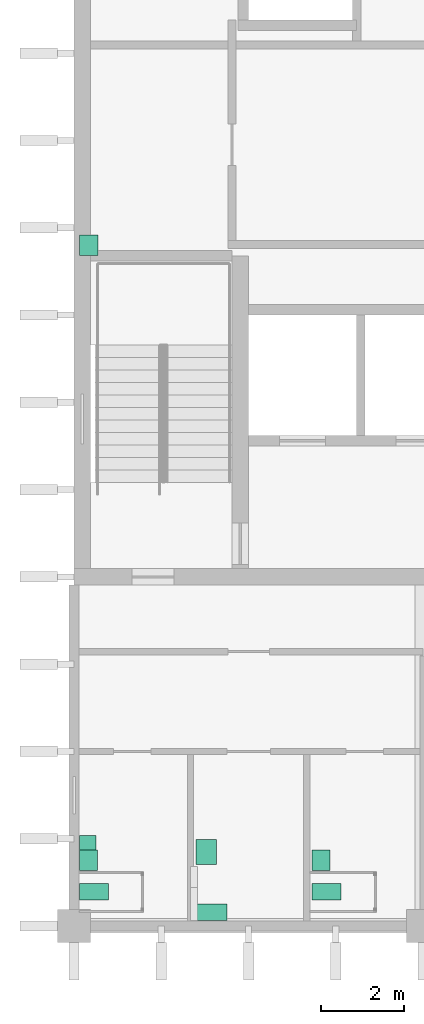
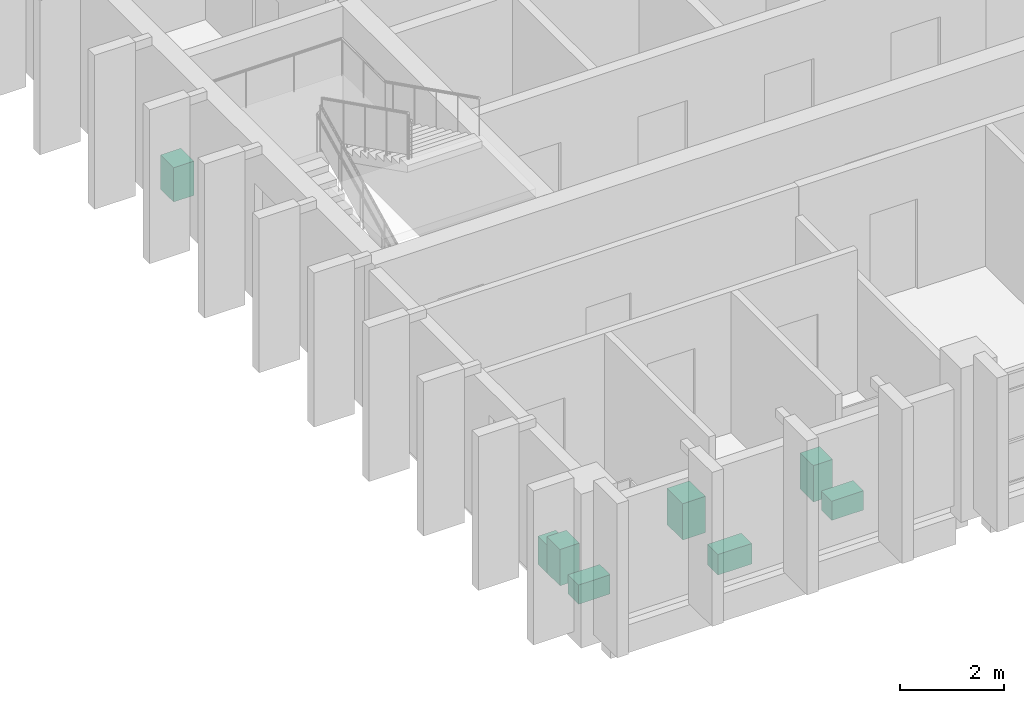
# One storey, part 11 of 11: 8 sanitary terminals.
"""IFC4 building model written with IfcOpenShell, lengths in metres."""

from ifc_helpers import new_model, si_unit, direction, frame, origin, origin_2d, place, context, subcontext, project, spatial, rectangle, extrude, material, type_object, element, save


model = new_model("IFC4")

# Units and contexts
model_context = context("Model", 3, precision=1e-05, world=origin(), true_north=direction((0.0, 1.0)))
body_context = subcontext(model_context, "Body", "Model", "MODEL_VIEW")
ifc_project = project(units=[si_unit("LENGTHUNIT", "METRE"), si_unit("AREAUNIT", "SQUARE_METRE"), si_unit("VOLUMEUNIT", "CUBIC_METRE"), si_unit("PLANEANGLEUNIT", "RADIAN"), si_unit("MASSUNIT", "GRAM", prefix="KILO")], contexts=[model_context])

# Site, building, storey
site_placement = place(None, origin())
site = spatial("IfcSite", under=ifc_project, at=site_placement, CompositionType="ELEMENT")
building_placement = place(site_placement, origin())
building = spatial("IfcBuilding", under=site, at=building_placement, Name="Rulbaag Community and Learning Centre", CompositionType="ELEMENT")
storey_placement = place(building_placement, frame((0.0, 0.0, 43.199951171875)))
storey = spatial("IfcBuildingStorey", under=building, at=storey_placement, Name="L11", CompositionType="ELEMENT", Elevation=43.199951171875)

# Sanitary terminals
ifc_material_1 = material(Name="Vitreous china", Category="ceramic")
sanitary_terminal_type_1 = type_object("IfcSanitaryTerminalType", Name="BS-500", PredefinedType="WASHHANDBASIN", material=ifc_material_1)
for number, where, z_axis, x_axis, name in (
    (1, (143.14501953125, 85.580078125, 0.0), (0.0, 0.0, 1.0), (1.0, 0.0, 0.0), "Basin 96"),
    (2, (148.7451171875, 85.580078125, 0.0), (0.0, 0.0, 1.0), (1.0, 0.0, 0.0), "Basin 97"),
):
    element("IfcSanitaryTerminal", number, at=place(storey_placement, frame(where, z_axis=z_axis, x_axis=x_axis)), inside=storey, type_object=sanitary_terminal_type_1, Name=name, PredefinedType="WASHHANDBASIN", context=body_context, shape_type="SweptSolid", body=[
        extrude(rectangle(XDim=0.429931640625, YDim=0.5, at=origin_2d()), origin(), (0.0, 0.0, 1.0), 0.85009765625),
    ])
sanitary_terminal_type_2 = type_object("IfcSanitaryTerminalType", Name="BS-AC-600", PredefinedType="WASHHANDBASIN", material=ifc_material_1)
sanitary_terminal_1_placement = place(storey_placement, frame((145.97998046875, 85.780029296875, 0.0), z_axis=(0.0, 0.0, 1.0), x_axis=(1.0, 0.0, 0.0)))
element("IfcSanitaryTerminal", 3, at=sanitary_terminal_1_placement, inside=storey, type_object=sanitary_terminal_type_2, Name="Basin 98", PredefinedType="WASHHANDBASIN", context=body_context, shape_type="SweptSolid", body=[
    extrude(rectangle(XDim=0.5, YDim=0.60009765625, at=origin_2d()), origin(), (0.0, 0.0, 1.0), 0.85009765625),
])
ifc_material_2 = material(Name="Stainless steel", Category="steel")
sanitary_terminal_type_3 = type_object("IfcSanitaryTerminalType", Name="SK-CL-500", PredefinedType="SINK", material=ifc_material_2)
sanitary_terminal_2_placement = place(storey_placement, frame((143.155029296875, 100.3798828125, 0.0), z_axis=(0.0, 0.0, 1.0), x_axis=(1.0, 0.0, 0.0)))
element("IfcSanitaryTerminal", 4, at=sanitary_terminal_2_placement, inside=storey, type_object=sanitary_terminal_type_3, Name="Sink 20", PredefinedType="SINK", context=body_context, shape_type="SweptSolid", body=[
    extrude(rectangle(XDim=0.449951171875, YDim=0.5, at=origin_2d()), origin(), (0.0, 0.0, 1.0), 0.800048828125),
])
sanitary_terminal_type_4 = type_object("IfcSanitaryTerminalType", Name="UR-350", PredefinedType="URINAL", material=ifc_material_1)
sanitary_terminal_3_placement = place(storey_placement, frame((143.1298828125, 86.0048828125, 0.0), z_axis=(0.0, 0.0, 1.0), x_axis=(1.0, 0.0, 0.0)))
element("IfcSanitaryTerminal", 5, at=sanitary_terminal_3_placement, inside=storey, type_object=sanitary_terminal_type_4, Name="Urinal 161", PredefinedType="URINAL", context=body_context, shape_type="SweptSolid", body=[
    extrude(rectangle(XDim=0.39990234375, YDim=0.35009765625, at=origin_2d()), origin(), (0.0, 0.0, 1.0), 0.64990234375),
])
sanitary_terminal_type_5 = type_object("IfcSanitaryTerminalType", Name="WC-400", PredefinedType="TOILETPAN", material=ifc_material_1)
for number, where, z_axis, x_axis, name in (
    (6, (143.280029296875, 84.820068359375, 0.0), (0.0, 0.0, 1.0), (1.0, 0.0, 0.0), "WC 157"),
    (7, (148.8798828125, 84.820068359375, 0.0), (0.0, 0.0, 1.0), (1.0, 0.0, 0.0), "WC 158"),
):
    element("IfcSanitaryTerminal", number, at=place(storey_placement, frame(where, z_axis=z_axis, x_axis=x_axis)), inside=storey, type_object=sanitary_terminal_type_5, Name=name, PredefinedType="TOILETPAN", context=body_context, shape_type="SweptSolid", body=[
        extrude(rectangle(XDim=0.699951171875, YDim=0.39990234375, at=origin_2d()), origin(), (0.0, 0.0, 1.0), 0.449951171875),
    ])
sanitary_terminal_type_6 = type_object("IfcSanitaryTerminalType", Name="WC-AC-480", PredefinedType="TOILETPAN", material=ifc_material_1)
sanitary_terminal_4_placement = place(storey_placement, frame((146.10498046875, 84.330078125, 0.0), z_axis=(0.0, 0.0, 1.0), x_axis=(1.0, 0.0, 0.0)))
element("IfcSanitaryTerminal", 8, at=sanitary_terminal_4_placement, inside=storey, type_object=sanitary_terminal_type_6, Name="WC 159", PredefinedType="TOILETPAN", context=body_context, shape_type="SweptSolid", body=[
    extrude(rectangle(XDim=0.75, YDim=0.39990234375, at=origin_2d()), origin(), (0.0, 0.0, 1.0), 0.47998046875),
])

save(model, "model.ifc")
